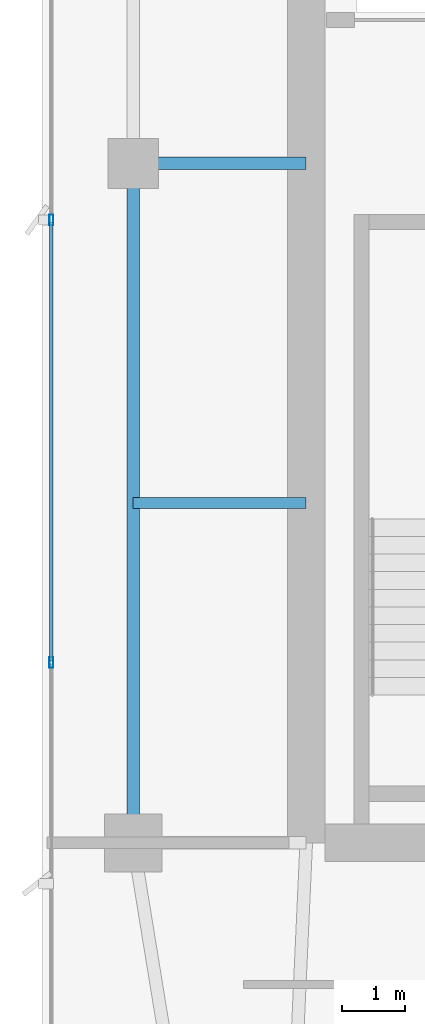
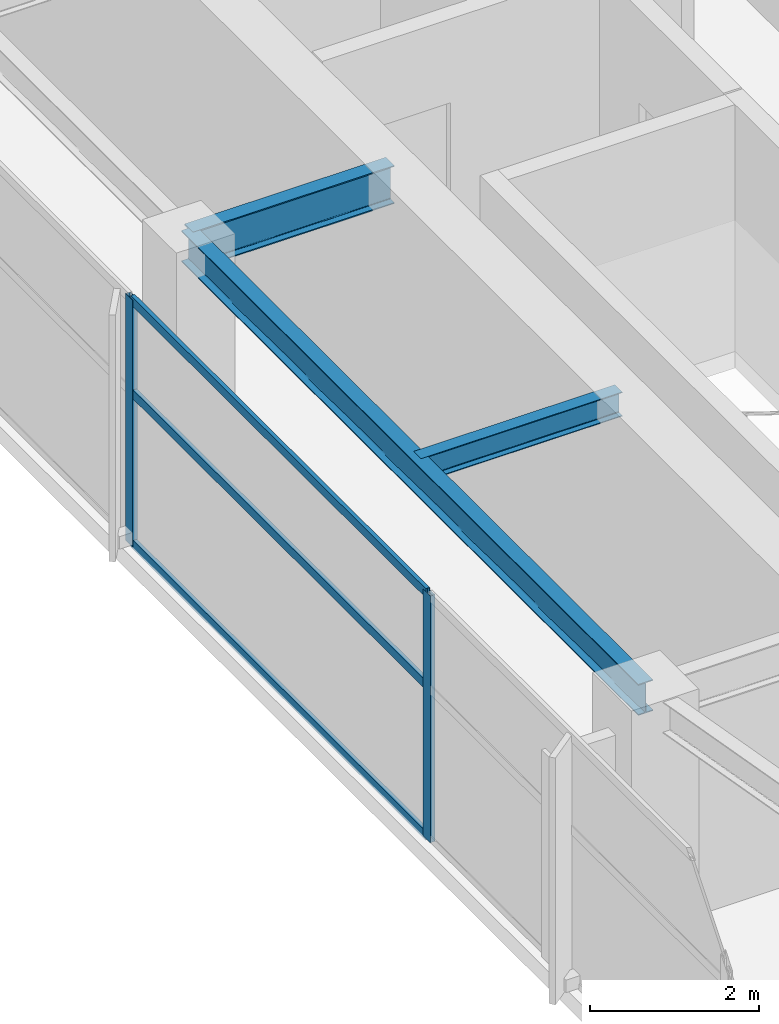
# One storey, part 9 of 28: 5 members, 3 beams, 1 element without a shape of its own.
"""IFC4 building model written with IfcOpenShell, lengths in metres."""

import ifcopenshell
import ifcopenshell.guid

model = None  # the IFC model being written
_history = None  # IfcOwnerHistory: only IFC2X3 demands one
_inside = {}  # id of a spatial element -> (the spatial element, [elements in it])
_under = {}  # id of a project, library or spatial element -> (it, [spatial elements below it])
_declared = {}  # id of a project -> (the project, [libraries it declares])
_typed = {}  # id of a type object -> (the type object, [elements of that type])
_made_of = {}  # id of a material, layer set ... -> (it, [elements and type objects made of it])


def new_model(schema):
    """Start an empty IFC model of exactly this schema.

    Asked for "IFC4X3", IfcOpenShell would pick the latest addendum, in which some entities
    have other attributes; the version numbers below select the first issue.
    IFC2X3 requires an IfcOwnerHistory on every rooted entity: one is made here for all.
    """
    global model, _history
    if schema == "IFC4X3":
        model = ifcopenshell.file(schema_version=(4, 3, 0, 0))
    else:
        model = ifcopenshell.file(schema=schema)
    _inside.clear()
    _under.clear()
    _declared.clear()
    _typed.clear()
    _made_of.clear()
    _history = None
    if model.schema == "IFC2X3":
        org = make("IfcOrganization", Name="unknown")
        user = make(
            "IfcPersonAndOrganization",
            ThePerson=make("IfcPerson", FamilyName="unknown"),
            TheOrganization=org,
        )
        app = make(
            "IfcApplication",
            ApplicationDeveloper=org,
            Version="unknown",
            ApplicationFullName="unknown",
            ApplicationIdentifier="unknown",
        )
        _history = make(
            "IfcOwnerHistory",
            OwningUser=user,
            OwningApplication=app,
            ChangeAction="ADDED",
            CreationDate=0,
        )
    return model


def make(cls, **values):
    """One entity of the class cls with the attributes given. An attribute that is None is left unset."""
    return model.create_entity(
        cls, **{name: value for name, value in values.items() if value is not None}
    )


def rooted(cls, **values):
    """An entity with a GlobalId (a new one), such as an element, a storey or a relation."""
    return make(cls, GlobalId=ifcopenshell.guid.new(), OwnerHistory=_history, **values)


def si_unit(unit_type, name, prefix=None):
    """IfcSIUnit, for example si_unit("LENGTHUNIT", "METRE", prefix="MILLI")."""
    return make("IfcSIUnit", UnitType=unit_type, Prefix=prefix, Name=name)


def assignment(units):
    """IfcUnitAssignment: the units of a project."""
    return None if units is None else make("IfcUnitAssignment", Units=units)


def point(xyz):
    """IfcCartesianPoint."""
    return None if xyz is None else make("IfcCartesianPoint", Coordinates=xyz)


def direction(xyz):
    """IfcDirection."""
    return None if xyz is None else make("IfcDirection", DirectionRatios=xyz)


def frame(location, z_axis=None, x_axis=None):
    """IfcAxis2Placement3D, a coordinate frame: its origin and axes. An axis left out is left unset."""
    return make(
        "IfcAxis2Placement3D",
        Location=point(location),
        Axis=direction(z_axis),
        RefDirection=direction(x_axis),
    )


def frame_2d(location, x_axis=None):
    """IfcAxis2Placement2D, a coordinate frame in the plane: its origin and x axis."""
    return make(
        "IfcAxis2Placement2D", Location=point(location), RefDirection=direction(x_axis)
    )


def origin():
    """The frame at (0, 0, 0) with its axes left unset."""
    return frame((0.0, 0.0, 0.0))


def origin_2d():
    """The frame at (0, 0) in the plane with its x axis left unset."""
    return frame_2d((0.0, 0.0))


def place(relative_to, where):
    """IfcLocalPlacement: puts the frame where relative to a parent placement (None: the world)."""
    return make(
        "IfcLocalPlacement", PlacementRelTo=relative_to, RelativePlacement=where
    )


def context(
    kind, dimensions, precision=None, world=None, true_north=None, identifier=None
):
    """IfcGeometricRepresentationContext, for example the 3D "Model" context."""
    return make(
        "IfcGeometricRepresentationContext",
        ContextIdentifier=identifier,
        ContextType=kind,
        CoordinateSpaceDimension=dimensions,
        Precision=precision,
        WorldCoordinateSystem=world,
        TrueNorth=true_north,
    )


def subcontext(parent, identifier, kind, view, scale=None):
    """IfcGeometricRepresentationSubContext, for example "Body" below "Model"."""
    return make(
        "IfcGeometricRepresentationSubContext",
        ContextIdentifier=identifier,
        ContextType=kind,
        ParentContext=parent,
        TargetScale=scale,
        TargetView=view,
    )


def project(units=None, contexts=None):
    """IfcProject with its units and contexts."""
    return rooted(
        "IfcProject",
        Name="project",
        RepresentationContexts=contexts,
        UnitsInContext=assignment(units),
    )


def spatial(cls, under=None, at=None, **own):
    """A site, building, storey or space (cls), placed at a placement, below another one or the project."""
    s = rooted(cls, ObjectPlacement=at, **own)
    if under is not None:
        _under.setdefault(under.id(), (under, []))[1].append(s)
    return s


def profile(cls, at=None, kind="AREA", **sizes):
    """A parametric profile (cls). Its sizes go by their IFC names, for example OverallWidth=200.0."""
    return make(cls, ProfileType=kind, Position=at, **sizes)


def hollow_rectangle(**sizes):
    """IfcRectangleHollowProfileDef."""
    return profile("IfcRectangleHollowProfileDef", **sizes)


def i_section(**sizes):
    """IfcIShapeProfileDef."""
    return profile("IfcIShapeProfileDef", **sizes)


def extrude(swept, where, along, depth):
    """IfcExtrudedAreaSolid: the profile swept, set in the frame where, extruded along a direction by depth."""
    return make(
        "IfcExtrudedAreaSolid",
        SweptArea=swept,
        Position=where,
        ExtrudedDirection=direction(along),
        Depth=depth,
    )


def shape(context_of_items, identifier, shape_type, items):
    """IfcShapeRepresentation: the items that make up one representation, for example the "Body"."""
    return make(
        "IfcShapeRepresentation",
        ContextOfItems=context_of_items,
        RepresentationIdentifier=identifier,
        RepresentationType=shape_type,
        Items=items,
    )


def material(Name=None, Category=None):
    """IfcMaterial."""
    return make("IfcMaterial", Name=Name, Category=Category)


def layer(
    of_material, thickness, ventilated=None, Name=None, Category=None, Priority=None
):
    """IfcMaterialLayer: one layer of a wall or slab, of a material (None: an air gap)."""
    return make(
        "IfcMaterialLayer",
        Material=of_material,
        LayerThickness=thickness,
        IsVentilated=ventilated,
        Name=Name,
        Category=Category,
        Priority=Priority,
    )


def layer_set(layers, Name=None):
    """IfcMaterialLayerSet."""
    return make("IfcMaterialLayerSet", MaterialLayers=layers, LayerSetName=Name)


def material_profile(
    of_material, cross_section, Name=None, Category=None, Priority=None
):
    """IfcMaterialProfile: a cross section and its material."""
    return make(
        "IfcMaterialProfile",
        Name=Name,
        Material=of_material,
        Profile=cross_section,
        Priority=Priority,
        Category=Category,
    )


def profile_set(profiles, Name=None, composite=None):
    """IfcMaterialProfileSet."""
    return make(
        "IfcMaterialProfileSet",
        Name=Name,
        MaterialProfiles=profiles,
        CompositeProfile=composite,
    )


def made_of(thing, what):
    """Note that an element or type object is made of a material, layer set ...; save() writes the relation."""
    if what is not None:
        _made_of.setdefault(what.id(), (what, []))[1].append(thing)
    return thing


def type_object(cls, material=None, **own):
    """A type object (cls), such as IfcWallType, which elements share."""
    return made_of(rooted(cls, **own), material)


def element(
    cls,
    number,
    at=None,
    inside=None,
    cuts=None,
    type_object=None,
    material=None,
    context=None,
    identifier="Body",
    shape_type=None,
    held_by="IfcProductDefinitionShape",
    body=None,
    shapes=None,
    **own,
):
    """One element of the class cls, such as IfcWall. Its Tag is "e" and its number.

    at: its placement. inside: the storey or other place that contains it. cuts: it is an
    opening in that element (IfcRelVoidsElement). A single representation is given by context,
    identifier, shape_type and body (its items); several are given by shapes. held_by: the class
    of the entity that holds the representations. save() writes the other relations.
    """
    e = rooted(cls, Tag="e%d" % number, ObjectPlacement=at, **own)
    if body is not None:
        shapes = [shape(context, identifier, shape_type, body)]
    if shapes is not None:
        e.Representation = make(held_by, Representations=shapes)
    if inside is not None:
        _inside.setdefault(inside.id(), (inside, []))[1].append(e)
    if cuts is not None:
        rooted(
            "IfcRelVoidsElement", RelatingBuildingElement=cuts, RelatedOpeningElement=e
        )
    if type_object is not None:
        _typed.setdefault(type_object.id(), (type_object, []))[1].append(e)
    return made_of(e, material)


def aggregate(whole, parts):
    """IfcRelAggregates: a whole, such as a stair, and the parts it consists of."""
    return rooted("IfcRelAggregates", RelatingObject=whole, RelatedObjects=parts)


def save(model, path):
    """Write the relations noted so far, then the file.

    IfcRelAggregates (storeys below a building ...), IfcRelContainedInSpatialStructure (elements
    in a storey), IfcRelDefinesByType, IfcRelAssociatesMaterial and IfcRelDeclares: one each for
    every whole, place, type object, material and project.
    """
    for whole, parts in _under.values():
        aggregate(whole, parts)
    for where, things in _inside.values():
        rooted(
            "IfcRelContainedInSpatialStructure",
            RelatedElements=things,
            RelatingStructure=where,
        )
    for kind, things in _typed.values():
        rooted("IfcRelDefinesByType", RelatedObjects=things, RelatingType=kind)
    for what, things in _made_of.values():
        rooted("IfcRelAssociatesMaterial", RelatedObjects=things, RelatingMaterial=what)
    for by, libraries in _declared.values():
        rooted("IfcRelDeclares", RelatingContext=by, RelatedDefinitions=libraries)
    model.write(path)


model = new_model("IFC4")

# Units and contexts
model_context = context("Model", 3, precision=1e-05, world=origin(), true_north=direction((0.0, 1.0)))
body_context = subcontext(model_context, "Body", "Model", "MODEL_VIEW")
ifc_project = project(units=[si_unit("LENGTHUNIT", "METRE"), si_unit("AREAUNIT", "SQUARE_METRE"), si_unit("VOLUMEUNIT", "CUBIC_METRE"), si_unit("PLANEANGLEUNIT", "RADIAN"), si_unit("MASSUNIT", "GRAM", prefix="KILO")], contexts=[model_context])

# Site, building, storey
site_placement = place(None, origin())
site = spatial("IfcSite", under=ifc_project, at=site_placement, CompositionType="ELEMENT")
building_placement = place(site_placement, origin())
building = spatial("IfcBuilding", under=site, at=building_placement, Name="Calvorn Quay Hotel", CompositionType="ELEMENT")
storey_placement = place(building_placement, frame((0.0, 0.0, 271.10009765625)))
storey = spatial("IfcBuildingStorey", under=building, at=storey_placement, Name="L67", CompositionType="ELEMENT", Elevation=271.10009765625)

# Beams
ifc_material_1 = material(Name="Steel Q355B", Category="steel")
ifc_material_profile_1 = material_profile(ifc_material_1, i_section(OverallWidth=0.199951171875, OverallDepth=0.550048828125, WebThickness=0.010009765625, FlangeThickness=0.01611328125, FilletRadius=0.01806640625, at=origin_2d()), Name="HN550x200x10x16")
ifc_profile_set_1 = profile_set([ifc_material_profile_1], Name="Steel Q355B")
beam_type_1 = type_object("IfcBeamType", Name="BM-GIRD-UPP", PredefinedType="BEAM", material=ifc_profile_set_1)
beam_1_placement = place(storey_placement, frame((1.449951171875, 27.60009765625, 3.264892578125), z_axis=(1.0, 0.0, 0.0), x_axis=(0.0, 1.0, 0.0)))
element("IfcBeam", 1, at=beam_1_placement, inside=storey, type_object=beam_type_1, Name="Beam BG-L67-W2", PredefinedType="BEAM", context=body_context, shape_type="SweptSolid", body=[
    extrude(i_section(OverallWidth=0.199951171875, OverallDepth=0.550048828125, WebThickness=0.010009765625, FlangeThickness=0.01611328125, FilletRadius=0.01806640625, at=origin_2d()), origin(), (0.0, 0.0, 1.0), 2.75),
])
ifc_material_2 = material(Name="Steel Q355B", Category="steel")
ifc_material_profile_2 = material_profile(ifc_material_2, i_section(OverallWidth=0.175048828125, OverallDepth=0.35009765625, WebThickness=0.007080078125, FlangeThickness=0.010986328125, FilletRadius=0.013916015625, at=origin_2d()), Name="HN350x175x7x11")
ifc_profile_set_2 = profile_set([ifc_material_profile_2], Name="Steel Q355B")
beam_type_2 = type_object("IfcBeamType", Name="BM-JOIST-SEC", PredefinedType="JOIST", material=ifc_profile_set_2)
beam_2_placement = place(storey_placement, frame((1.449951171875, 22.199951171875, 3.364990234375), z_axis=(1.0, 0.0, 0.0), x_axis=(0.0, 1.0, 0.0)))
element("IfcBeam", 2, at=beam_2_placement, inside=storey, type_object=beam_type_2, Name="Beam BJ-L67-W3", PredefinedType="JOIST", context=body_context, shape_type="SweptSolid", body=[
    extrude(i_section(OverallWidth=0.175048828125, OverallDepth=0.35009765625, WebThickness=0.007080078125, FlangeThickness=0.010986328125, FilletRadius=0.013916015625, at=origin_2d()), origin(), (0.0, 0.0, 1.0), 2.75),
])
ifc_material_3 = material(Name="Steel Q355B", Category="steel")
ifc_material_profile_3 = material_profile(ifc_material_3, i_section(OverallWidth=0.199951171875, OverallDepth=0.449951171875, WebThickness=0.009033203125, FlangeThickness=0.013916015625, FilletRadius=0.01611328125, at=origin_2d()), Name="HN450x200x9x14")
ifc_profile_set_3 = profile_set([ifc_material_profile_3], Name="Steel Q355B")
beam_type_3 = type_object("IfcBeamType", Name="BM-SPANDREL-Z3", PredefinedType="SPANDREL", material=ifc_profile_set_3)
beam_3_placement = place(storey_placement, frame((1.449951171875, 16.800048828125, 3.31494140625), z_axis=(0.0, 1.0, 0.0), x_axis=(-1.0, 0.0, 0.0)))
element("IfcBeam", 3, at=beam_3_placement, inside=storey, type_object=beam_type_3, Name="Beam BSP-L67-W2", PredefinedType="SPANDREL", context=body_context, shape_type="SweptSolid", body=[
    extrude(i_section(OverallWidth=0.199951171875, OverallDepth=0.449951171875, WebThickness=0.009033203125, FlangeThickness=0.013916015625, FilletRadius=0.01611328125, at=origin_2d()), origin(), (0.0, 0.0, 1.0), 10.800048828125),
])

# Curtain wall, members
ifc_material_4 = material(Name="Champagne Bronze Anodised Aluminium and Low-E Glass", Category="aluminium")
ifc_layer = layer(ifc_material_4, 0.219970703125)
ifc_layer_set = layer_set([ifc_layer], Name="CW-SYS-Z4")
curtain_wall_type = type_object("IfcCurtainWallType", Name="CW-SYS-Z4", PredefinedType="NOTDEFINED", material=ifc_layer_set)
curtain_wall_placement = place(storey_placement, origin())
curtain_wall = element("IfcCurtainWall", 4, at=curtain_wall_placement, inside=storey, type_object=curtain_wall_type, Name="Tower West Curtain Wall (L67)", PredefinedType="NOTDEFINED")
ifc_material_5 = material(Name="Champagne Bronze Anodised Aluminium 6063-T6", Category="aluminium")
ifc_material_profile_4 = material_profile(ifc_material_5, hollow_rectangle(XDim=0.06494140625, YDim=0.169921875, WallThickness=0.00341796875, at=origin_2d()), Name="ALU-M170x65x3.5")
ifc_profile_set_4 = profile_set([ifc_material_profile_4], Name="Champagne Bronze Anodised Aluminium 6063-T6")
member_type_1 = type_object("IfcMemberType", Name="CW-SYS-Z4-MUL", PredefinedType="MULLION", material=ifc_profile_set_4)
member_1_placement = place(storey_placement, frame((0.14990234375, 19.666748046875, 0.0), z_axis=(0.0, 0.0, 1.0), x_axis=(-1.0, 0.0, 0.0)))
member_1 = element("IfcMember", 5, at=member_1_placement, type_object=member_type_1, Name="CW-L67-W mullion 3", PredefinedType="MULLION", context=body_context, shape_type="SweptSolid", body=[
    extrude(hollow_rectangle(XDim=0.06494140625, YDim=0.169921875, WallThickness=0.00341796875, at=origin_2d()), origin(), (0.0, 0.0, 1.0), 3.559814453125),
])
member_2_placement = place(storey_placement, frame((0.14990234375, 26.699951171875, 0.0), z_axis=(0.0, 0.0, 1.0), x_axis=(-1.0, 0.0, 0.0)))
member_2 = element("IfcMember", 6, at=member_2_placement, type_object=member_type_1, Name="CW-L67-W mullion 4", PredefinedType="MULLION", context=body_context, shape_type="SweptSolid", body=[
    extrude(hollow_rectangle(XDim=0.06494140625, YDim=0.169921875, WallThickness=0.00341796875, at=origin_2d()), origin(), (0.0, 0.0, 1.0), 3.559814453125),
])
ifc_material_6 = material(Name="Champagne Bronze Anodised Aluminium 6063-T6", Category="aluminium")
ifc_material_profile_5 = material_profile(ifc_material_6, hollow_rectangle(XDim=0.054931640625, YDim=0.1298828125, WallThickness=0.003173828125, at=origin_2d()), Name="ALU-T130x55x3.2")
ifc_profile_set_5 = profile_set([ifc_material_profile_5], Name="Champagne Bronze Anodised Aluminium 6063-T6")
member_type_2 = type_object("IfcMemberType", Name="CW-SYS-Z4-TRN", PredefinedType="USERDEFINED", material=ifc_profile_set_5)
member_3_placement = place(storey_placement, frame((0.14990234375, 19.69677734375, 0.02978515625), z_axis=(0.0, 1.0, 0.0), x_axis=(-1.0, 0.0, 0.0)))
member_3 = element("IfcMember", 7, at=member_3_placement, type_object=member_type_2, Name="CW-L67-W transom 3.1", ObjectType="TRANSOM", PredefinedType="USERDEFINED", context=body_context, shape_type="SweptSolid", body=[
    extrude(hollow_rectangle(XDim=0.054931640625, YDim=0.1298828125, WallThickness=0.003173828125, at=origin_2d()), origin(), (0.0, 0.0, 1.0), 6.97314453125),
])
member_4_placement = place(storey_placement, frame((0.14990234375, 19.69677734375, 2.199951171875), z_axis=(0.0, 1.0, 0.0), x_axis=(-1.0, 0.0, 0.0)))
member_4 = element("IfcMember", 8, at=member_4_placement, type_object=member_type_2, Name="CW-L67-W transom 3.2", ObjectType="TRANSOM", PredefinedType="USERDEFINED", context=body_context, shape_type="SweptSolid", body=[
    extrude(hollow_rectangle(XDim=0.054931640625, YDim=0.1298828125, WallThickness=0.003173828125, at=origin_2d()), origin(), (0.0, 0.0, 1.0), 6.97314453125),
])
member_5_placement = place(storey_placement, frame((0.14990234375, 19.69677734375, 3.52978515625), z_axis=(0.0, 1.0, 0.0), x_axis=(-1.0, 0.0, 0.0)))
member_5 = element("IfcMember", 9, at=member_5_placement, type_object=member_type_2, Name="CW-L67-W transom 3.3", ObjectType="TRANSOM", PredefinedType="USERDEFINED", context=body_context, shape_type="SweptSolid", body=[
    extrude(hollow_rectangle(XDim=0.054931640625, YDim=0.1298828125, WallThickness=0.003173828125, at=origin_2d()), origin(), (0.0, 0.0, 1.0), 6.97314453125),
])
aggregate(curtain_wall, [member_1, member_2, member_3, member_4, member_5])

save(model, "model.ifc")
